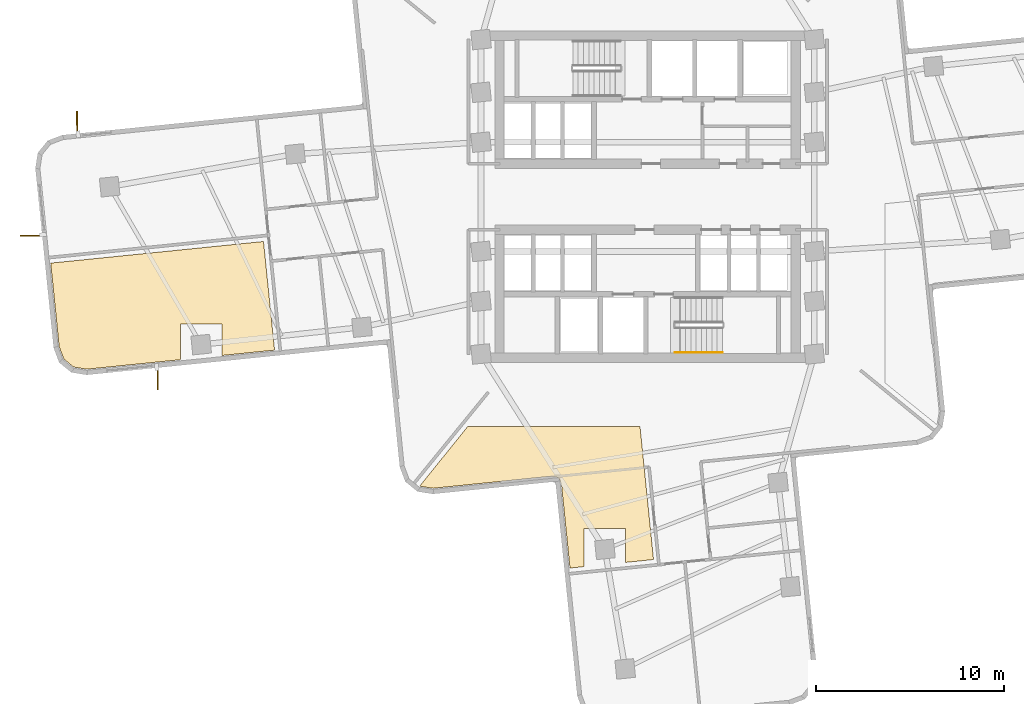
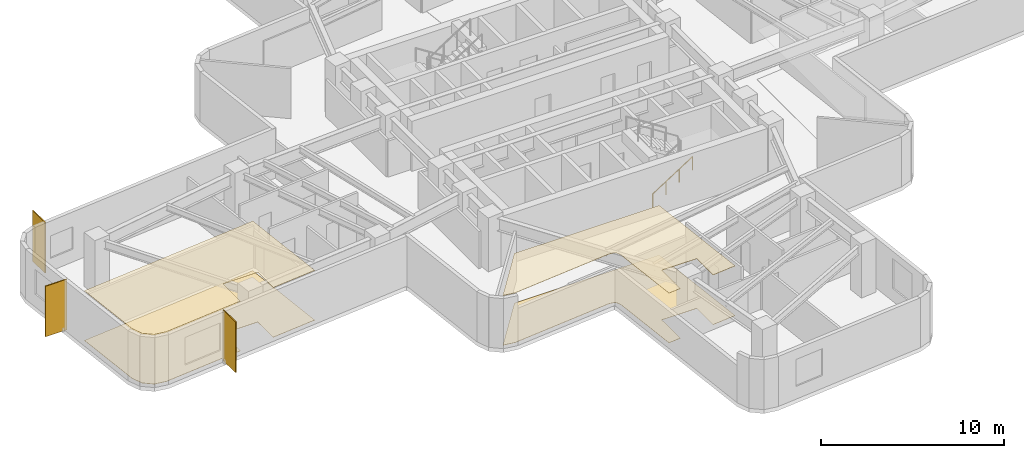
# One storey, part 7 of 9: 4 coverings, 3 shading devices, 1 railing.
"""IFC4 building model written with IfcOpenShell, lengths in metres."""

from ifc_helpers import new_model, si_unit, direction, frame, origin, origin_2d, place, context, subcontext, project, spatial, polyline, rectangle, circle, outline, extrude, material, layer, layer_set, type_object, element, save


model = new_model("IFC4")

# Units and contexts
model_context = context("Model", 3, precision=1e-05, world=origin(), true_north=direction((0.0, 1.0)))
body_context = subcontext(model_context, "Body", "Model", "MODEL_VIEW")
ifc_project = project(units=[si_unit("LENGTHUNIT", "METRE"), si_unit("AREAUNIT", "SQUARE_METRE"), si_unit("VOLUMEUNIT", "CUBIC_METRE"), si_unit("PLANEANGLEUNIT", "RADIAN"), si_unit("MASSUNIT", "GRAM", prefix="KILO")], contexts=[model_context])

# Site, building, storey
site_placement = place(None, origin())
site = spatial("IfcSite", under=ifc_project, at=site_placement, CompositionType="ELEMENT")
building_placement = place(site_placement, origin())
building = spatial("IfcBuilding", under=site, at=building_placement, Name="Solmarez Civic Tower", CompositionType="ELEMENT")
storey_placement = place(building_placement, frame((0.0, 0.0, 71.280029296875)))
storey = spatial("IfcBuildingStorey", under=building, at=storey_placement, Name="L18", CompositionType="ELEMENT", Elevation=71.280029296875)

# Coverings
ifc_material_1 = material(Name="Perforated Mineral-Fibre Acoustic Ceiling")
ifc_layer_1 = layer(ifc_material_1, 0.02490234375)
ifc_layer_set_1 = layer_set([ifc_layer_1], Name="Perforated Mineral-Fibre Acoustic Ceiling")
covering_type_1 = type_object("IfcCoveringType", Name="COV-CEIL-ACOUSTIC", PredefinedType="CEILING", material=ifc_layer_set_1)
covering_1_placement = place(storey_placement, frame((0.0, 0.0, 3.31494140625)))
element("IfcCovering", 1, at=covering_1_placement, inside=storey, type_object=covering_type_1, Name="L18 Suspended Acoustic Ceiling 4", PredefinedType="CEILING", context=body_context, shape_type="SweptSolid", body=[
    extrude(outline(polyline([(-0.408935546875, -12.199951171875), (-9.556884765625, -12.199951171875), (-12.10888671875, -15.364013671875), (-12.10302734375, -15.367919921875), (-11.404052734375, -15.48193359375), (-5.136962890625, -14.844970703125), (-5.114990234375, -14.843994140625), (-5.10107421875, -14.843994140625), (-5.070068359375, -14.845947265625), (-5.05908203125, -14.847900390625), (-4.888916015625, -14.875), (-4.87109375, -14.87890625), (-4.863037109375, -14.881103515625), (-4.85595703125, -14.882080078125), (-4.84912109375, -14.884033203125), (-4.822021484375, -14.89404296875), (-4.81494140625, -14.89697265625), (-4.80810546875, -14.89990234375), (-4.7890625, -14.908935546875), (-4.77099609375, -14.919921875), (-4.75390625, -14.93310546875), (-4.748046875, -14.93798828125), (-4.741943359375, -14.943115234375), (-4.72705078125, -14.9560546875), (-4.721923828125, -14.9609375), (-4.708984375, -14.97607421875), (-4.7041015625, -14.98193359375), (-4.68994140625, -15.0009765625), (-4.68603515625, -15.007080078125), (-4.677978515625, -15.02001953125), (-4.674072265625, -15.027099609375), (-4.6630859375, -15.049072265625), (-4.659912109375, -15.055908203125), (-4.656005859375, -15.06494140625), (-4.594970703125, -15.22509765625), (-4.589111328125, -15.242919921875), (-4.5869140625, -15.25), (-4.5849609375, -15.257080078125), (-4.5791015625, -15.285888671875), (-4.577880859375, -15.29296875), (-4.576904296875, -15.302001953125), (-4.1279296875, -19.718017578125), (-3.37109375, -19.64111328125), (-3.37109375, -17.6240234375), (-1.1708984375, -17.6240234375), (-1.1708984375, -19.41796875), (0.30908203125, -19.26708984375), (-0.408935546875, -12.199951171875)])), origin(), (0.0, 0.0, 1.0), 0.025146484375),
])
covering_2_placement = place(storey_placement, frame((0.0, 0.0, 3.31494140625)))
element("IfcCovering", 2, at=covering_2_placement, inside=storey, type_object=covering_type_1, Name="L18 Suspended Acoustic Ceiling 5", PredefinedType="CEILING", context=body_context, shape_type="SweptSolid", body=[
    extrude(outline(polyline([(-31.7060546875, -3.52294921875), (-31.256103515625, -7.9599609375), (-31.00390625, -8.6220703125), (-30.487060546875, -9.0439453125), (-29.787109375, -9.156982421875), (-24.81494140625, -8.652099609375), (-24.81494140625, -6.7509765625), (-22.614990234375, -6.7509765625), (-22.614990234375, -8.428955078125), (-19.818115234375, -8.14404296875), (-20.405029296875, -2.3740234375), (-31.7060546875, -3.52294921875)])), origin(), (0.0, 0.0, 1.0), 0.025146484375),
])
ifc_material_2 = material(Name="Polished Tropical Stone Terrazzo Flooring", Category="masonry")
ifc_layer_2 = layer(ifc_material_2, 0.02001953125)
ifc_layer_set_2 = layer_set([ifc_layer_2], Name="Polished Tropical Stone Terrazzo Flooring")
covering_type_2 = type_object("IfcCoveringType", Name="COV-FLOOR-TERRAZZO", PredefinedType="FLOORING", material=ifc_layer_set_2)
covering_3_placement = place(storey_placement, origin())
element("IfcCovering", 3, at=covering_3_placement, inside=storey, type_object=covering_type_2, Name="L18 Terrazzo Floor Finish 4", PredefinedType="FLOORING", context=body_context, shape_type="SweptSolid", body=[
    extrude(outline(polyline([(-0.408935546875, -12.199951171875), (-9.556884765625, -12.199951171875), (-12.10888671875, -15.364013671875), (-12.10302734375, -15.367919921875), (-11.404052734375, -15.48193359375), (-5.136962890625, -14.844970703125), (-5.114990234375, -14.843994140625), (-5.10107421875, -14.843994140625), (-5.070068359375, -14.845947265625), (-5.05908203125, -14.847900390625), (-4.888916015625, -14.875), (-4.87109375, -14.87890625), (-4.863037109375, -14.881103515625), (-4.85595703125, -14.882080078125), (-4.84912109375, -14.884033203125), (-4.822021484375, -14.89404296875), (-4.81494140625, -14.89697265625), (-4.80810546875, -14.89990234375), (-4.7890625, -14.908935546875), (-4.77099609375, -14.919921875), (-4.75390625, -14.93310546875), (-4.748046875, -14.93798828125), (-4.741943359375, -14.943115234375), (-4.72705078125, -14.9560546875), (-4.721923828125, -14.9609375), (-4.708984375, -14.97607421875), (-4.7041015625, -14.98193359375), (-4.68994140625, -15.0009765625), (-4.68603515625, -15.007080078125), (-4.677978515625, -15.02001953125), (-4.674072265625, -15.027099609375), (-4.6630859375, -15.049072265625), (-4.659912109375, -15.055908203125), (-4.656005859375, -15.06494140625), (-4.594970703125, -15.22509765625), (-4.589111328125, -15.242919921875), (-4.5869140625, -15.25), (-4.5849609375, -15.257080078125), (-4.5791015625, -15.285888671875), (-4.577880859375, -15.29296875), (-4.576904296875, -15.302001953125), (-4.1279296875, -19.718017578125), (-3.37109375, -19.64111328125), (-3.37109375, -17.6240234375), (-1.1708984375, -17.6240234375), (-1.1708984375, -19.41796875), (0.30908203125, -19.26708984375), (-0.408935546875, -12.199951171875)])), origin(), (0.0, 0.0, 1.0), 0.02001953125),
])
covering_4_placement = place(storey_placement, origin())
element("IfcCovering", 4, at=covering_4_placement, inside=storey, type_object=covering_type_2, Name="L18 Terrazzo Floor Finish 5", PredefinedType="FLOORING", context=body_context, shape_type="SweptSolid", body=[
    extrude(outline(polyline([(-31.7060546875, -3.52294921875), (-31.256103515625, -7.9599609375), (-31.00390625, -8.6220703125), (-30.487060546875, -9.0439453125), (-29.787109375, -9.156982421875), (-24.81494140625, -8.652099609375), (-24.81494140625, -6.7509765625), (-22.614990234375, -6.7509765625), (-22.614990234375, -8.428955078125), (-19.818115234375, -8.14404296875), (-20.405029296875, -2.3740234375), (-31.7060546875, -3.52294921875)])), origin(), (0.0, 0.0, 1.0), 0.02001953125),
])

# Shading devices
ifc_material_3 = material(Name="Bronze Anodised Aluminium EN AW-6063 T6", Category="aluminium")
ifc_layer_3 = layer(ifc_material_3, 0.06494140625)
ifc_layer_set_3 = layer_set([ifc_layer_3], Name="Bronze Anodised Aluminium EN AW-6063 T6")
shading_device_type = type_object("IfcShadingDeviceType", Name="FIN-BRONZE-Z12", PredefinedType="USERDEFINED", material=ifc_layer_set_3)
for number, where, z_axis, x_axis, name in (
    (5, (-26.02392578125, -9.583984375, -0.0400390625), (0.0, 0.0, 1.0), (0.007993522845, -0.999968051286, 0.0), "L18 Anodised Bronze Solar Fin FIN-L18-01"),
    (6, (-32.662109375, -2.068115234375, -0.0400390625), (0.0, 0.0, 1.0), (-0.999968468455, -0.00794116463, 0.0), "L18 Anodised Bronze Solar Fin FIN-L18-02"),
    (7, (-30.304931640625, 3.862060546875, -0.0400390625), (0.0, 0.0, 1.0), (-0.007993522845, 0.999968051286, 0.0), "L18 Anodised Bronze Solar Fin FIN-L18-03"),
):
    element("IfcShadingDevice", number, at=place(storey_placement, frame(where, z_axis=z_axis, x_axis=x_axis)), inside=storey, type_object=shading_device_type, Name=name, ObjectType="FIN", PredefinedType="USERDEFINED", context=body_context, shape_type="SweptSolid", body=[
        extrude(rectangle(XDim=1.35009765625, YDim=0.06494140625, at=origin_2d()), origin(), (0.0, 0.0, 1.0), 3.3798828125),
    ])

# Railing
ifc_material_4 = material(Name="Brushed Stainless Steel Tube Handrail", Category="steel")
railing_type = type_object("IfcRailingType", Name="HANDRAIL-STAIR-900", PredefinedType="HANDRAIL", material=ifc_material_4)
railing_placement = place(storey_placement, frame((1.449951171875, -8.27001953125, 0.179931640625)))
element("IfcRailing", 8, at=railing_placement, inside=storey, type_object=railing_type, Name="L18 ST-2 stair handrail 1", PredefinedType="HANDRAIL", context=body_context, shape_type="SweptSolid", body=[
    extrude(circle(Radius=0.02392578125, at=origin_2d()), frame((0.0, 0.0, 0.8759765625), z_axis=(0.841162588446, 0.0, 0.540782303519), x_axis=(0.0, 1.0, 0.0)), (0.0, 0.0, 1.0), 2.995849609375),
    extrude(circle(Radius=0.02099609375, at=origin_2d()), origin(), (0.0, 0.0, 1.0), 0.851806640625),
    extrude(circle(Radius=0.02099609375, at=origin_2d()), frame((0.840087890625, 0.0, 0.5400390625)), (0.0, 0.0, 1.0), 0.851806640625),
    extrude(circle(Radius=0.02099609375, at=origin_2d()), frame((1.679931640625, 0.0, 1.080078125)), (0.0, 0.0, 1.0), 0.851806640625),
    extrude(circle(Radius=0.02099609375, at=origin_2d()), frame((2.52001953125, 0.0, 1.6201171875)), (0.0, 0.0, 1.0), 0.851806640625),
])

save(model, "model.ifc")
